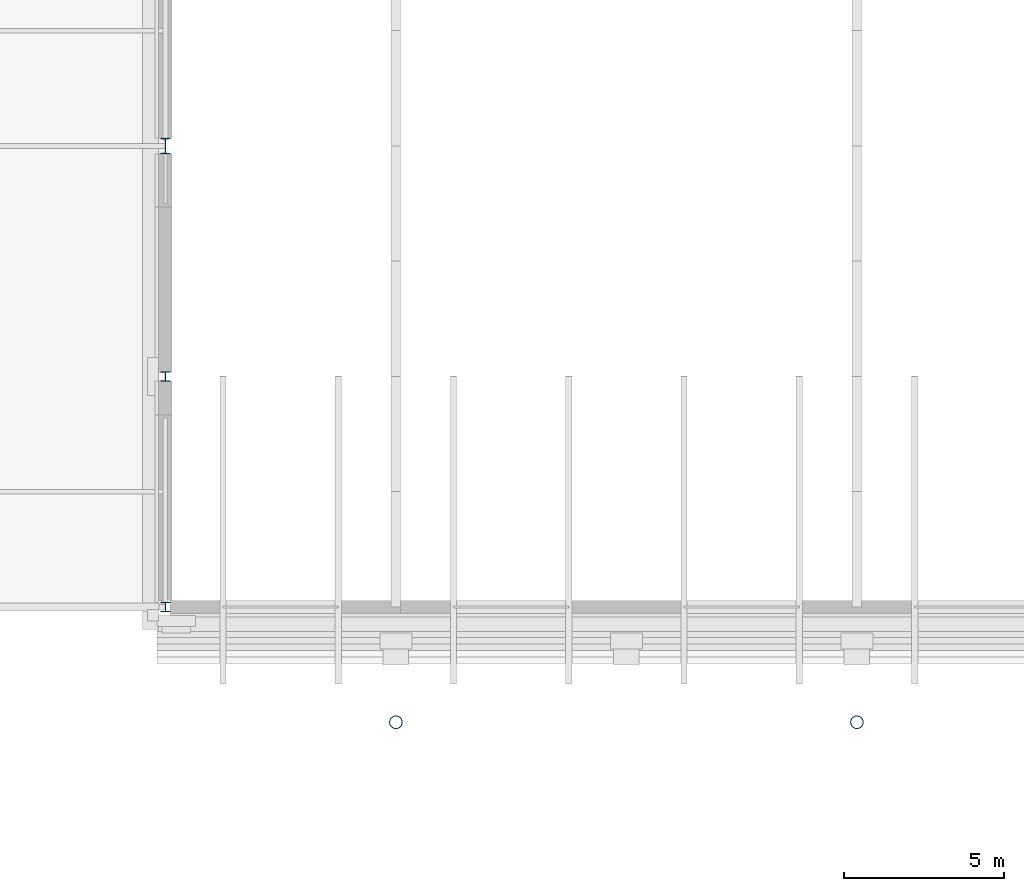
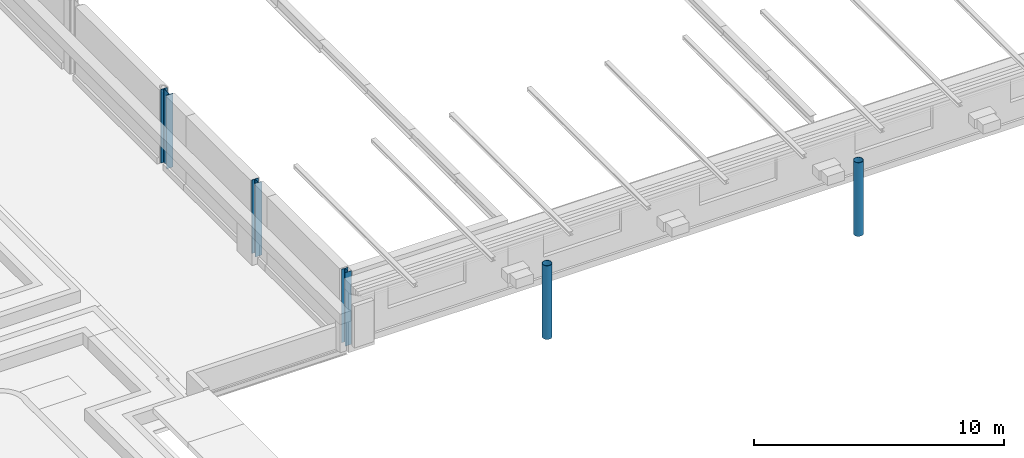
# One storey, part 3 of 110: 5 columns.
"""IFC4 building model written with IfcOpenShell, lengths in metres."""

from ifc_helpers import new_model, si_unit, direction, frame, origin, origin_2d, place, context, subcontext, project, spatial, hollow_circle, i_section, extrude, material, material_profile, profile_set, type_object, element, save


model = new_model("IFC4")

# Units and contexts
model_context = context("Model", 3, precision=1e-05, world=origin(), true_north=direction((0.0, 1.0)))
body_context = subcontext(model_context, "Body", "Model", "MODEL_VIEW")
ifc_project = project(units=[si_unit("LENGTHUNIT", "METRE"), si_unit("AREAUNIT", "SQUARE_METRE"), si_unit("VOLUMEUNIT", "CUBIC_METRE"), si_unit("PLANEANGLEUNIT", "RADIAN"), si_unit("MASSUNIT", "GRAM", prefix="KILO")], contexts=[model_context])

# Site, building, storey
site_placement = place(None, origin())
site = spatial("IfcSite", under=ifc_project, at=site_placement, CompositionType="ELEMENT")
building_placement = place(site_placement, origin())
building = spatial("IfcBuilding", under=site, at=building_placement, Name="Kupolbacken Congress Centre", CompositionType="ELEMENT")
storey_placement = place(building_placement, frame((0.0, 0.0, 18.0)))
storey = spatial("IfcBuildingStorey", under=building, at=storey_placement, Name="L05", CompositionType="ELEMENT", Elevation=18.0)

# Columns
ifc_material_1 = material(Name="Steel S355", Category="steel")
ifc_material_profile_1 = material_profile(ifc_material_1, i_section(OverallWidth=0.300048828125, OverallDepth=0.2900390625, WebThickness=0.008544921875, FlangeThickness=0.013916015625, FilletRadius=0.027099609375, at=origin_2d()), Name="HEA 300")
ifc_profile_set_1 = profile_set([ifc_material_profile_1], Name="Steel S355")
column_type_1 = type_object("IfcColumnType", Name="C09 column HEA 300", PredefinedType="COLUMN", material=ifc_profile_set_1)
for number, where, z_axis, x_axis, name in (
    (1, (86.39990234375, 43.199951171875, 0.0), (0.0, 0.0, 1.0), (1.0, 0.0, 0.0), "S/col/C-H-PW01/L05"),
    (2, (86.39990234375, 50.39990234375, 0.0), (0.0, 0.0, 1.0), (1.0, 0.0, 0.0), "S/col/C-H-PW02/L05"),
):
    element("IfcColumn", number, at=place(storey_placement, frame(where, z_axis=z_axis, x_axis=x_axis)), inside=storey, type_object=column_type_1, Name=name, PredefinedType="COLUMN", context=body_context, shape_type="SweptSolid", body=[
        extrude(i_section(OverallWidth=0.300048828125, OverallDepth=0.2900390625, WebThickness=0.008544921875, FlangeThickness=0.013916015625, FilletRadius=0.027099609375, at=origin_2d()), origin(), (0.0, 0.0, 1.0), 3.60009765625),
    ])
ifc_material_2 = material(Name="Steel S355", Category="steel")
ifc_material_profile_2 = material_profile(ifc_material_2, i_section(OverallWidth=0.300048828125, OverallDepth=0.489990234375, WebThickness=0.011962890625, FlangeThickness=0.02294921875, FilletRadius=0.027099609375, at=origin_2d()), Name="HEA 500")
ifc_profile_set_2 = profile_set([ifc_material_profile_2], Name="Steel S355")
column_type_2 = type_object("IfcColumnType", Name="C14 column HEA 500", PredefinedType="COLUMN", material=ifc_profile_set_2)
column_placement = place(storey_placement, frame((86.39990234375, 57.60009765625, 0.0), z_axis=(0.0, 0.0, 1.0), x_axis=(1.0, 0.0, 0.0)))
element("IfcColumn", 3, at=column_placement, inside=storey, type_object=column_type_2, Name="S/col/C-H-PW03/L05", PredefinedType="COLUMN", context=body_context, shape_type="SweptSolid", body=[
    extrude(i_section(OverallWidth=0.300048828125, OverallDepth=0.489990234375, WebThickness=0.011962890625, FlangeThickness=0.02294921875, FilletRadius=0.027099609375, at=origin_2d()), origin(), (0.0, 0.0, 1.0), 3.60009765625),
])
ifc_material_3 = material(Name="Steel S355", Category="steel")
ifc_material_profile_3 = material_profile(ifc_material_3, hollow_circle(Radius=0.203125, WallThickness=0.01611328125, at=origin_2d()), Name="CHS 406.4 x 16")
ifc_profile_set_3 = profile_set([ifc_material_profile_3], Name="Steel S355")
column_type_3 = type_object("IfcColumnType", Name="C15 roof mast CHS 406.4 x 16", PredefinedType="COLUMN", material=ifc_profile_set_3)
for number, where, z_axis, x_axis, name in (
    (4, (93.60009765625, 39.60009765625, 0.0), (0.0, 0.0, 1.0), (1.0, 0.0, 0.0), "Roof mast M1S"),
    (5, (108.0, 39.60009765625, 0.0), (0.0, 0.0, 1.0), (1.0, 0.0, 0.0), "Roof mast M2S"),
):
    element("IfcColumn", number, at=place(storey_placement, frame(where, z_axis=z_axis, x_axis=x_axis)), inside=storey, type_object=column_type_3, Name=name, PredefinedType="COLUMN", context=body_context, shape_type="SweptSolid", body=[
        extrude(hollow_circle(Radius=0.203125, WallThickness=0.01611328125, at=origin_2d()), origin(), (0.0, 0.0, 1.0), 3.60009765625),
    ])

save(model, "model.ifc")
